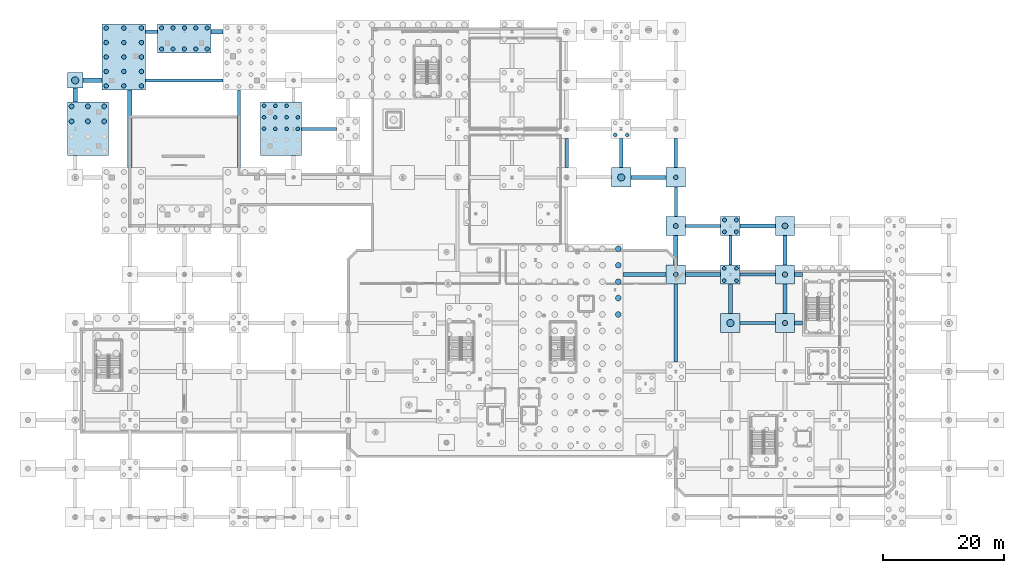
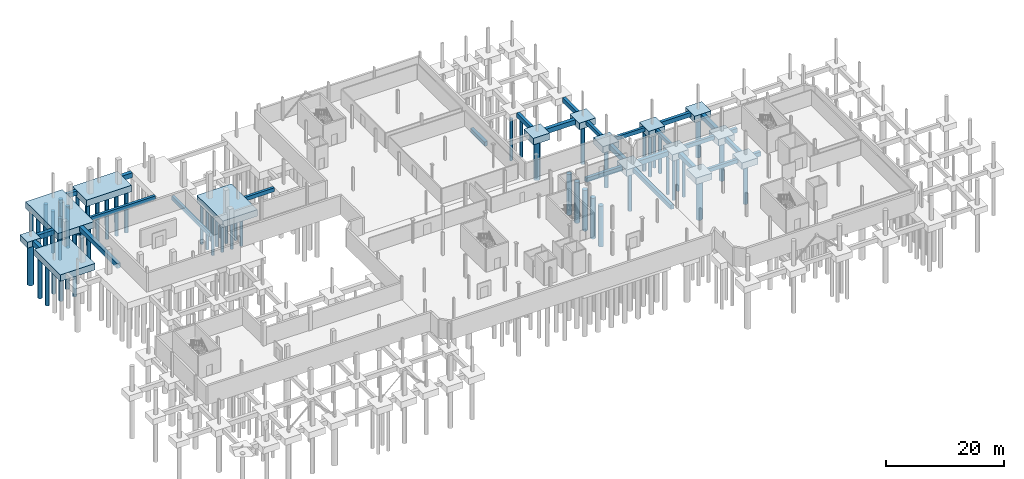
# One storey, part 6 of 37: 66 piles, 42 footings.
"""IFC4 building model written with IfcOpenShell, lengths in metres."""

from ifc_helpers import new_model, si_unit, direction, frame, origin, origin_2d, place, context, subcontext, project, spatial, polyline, rectangle, circle, outline, extrude, material, material_profile, profile_set, type_object, element, save


model = new_model("IFC4")

# Units and contexts
model_context = context("Model", 3, precision=1e-05, world=origin(), true_north=direction((0.0, 1.0)))
body_context = subcontext(model_context, "Body", "Model", "MODEL_VIEW")
ifc_project = project(units=[si_unit("LENGTHUNIT", "METRE"), si_unit("AREAUNIT", "SQUARE_METRE"), si_unit("VOLUMEUNIT", "CUBIC_METRE"), si_unit("PLANEANGLEUNIT", "RADIAN"), si_unit("MASSUNIT", "GRAM", prefix="KILO"), si_unit("THERMODYNAMICTEMPERATUREUNIT", "KELVIN"), si_unit("POWERUNIT", "WATT")], contexts=[model_context])

# Site, building, storey
site_placement = place(None, origin())
site = spatial("IfcSite", under=ifc_project, at=site_placement, CompositionType="ELEMENT")
building_placement = place(site_placement, origin())
building = spatial("IfcBuilding", under=site, at=building_placement, Name="Zelmaris Science Centre", CompositionType="ELEMENT")
storey_placement = place(building_placement, frame((0.0, 0.0, -4.800048828125)))
storey = spatial("IfcBuildingStorey", under=building, at=storey_placement, Name="B1", CompositionType="ELEMENT", Elevation=-4.800048828125)

# Footings
ifc_material = material(Name="Concrete C40/50", Category="concrete")
ifc_material_profile_1 = material_profile(ifc_material, rectangle(XDim=0.5, YDim=0.800048828125, at=origin_2d()), Name="FB-500X800")
ifc_profile_set_1 = profile_set([ifc_material_profile_1], Name="Concrete C40/50")
footing_type_1 = type_object("IfcFootingType", Name="Foundation Tie Beam FB-01 500x800", PredefinedType="FOOTING_BEAM", material=ifc_profile_set_1)
footing_1_placement = place(storey_placement, frame((36.0, 65.60009765625, -0.75), z_axis=(0.0, 1.0, 0.0), x_axis=(-1.0, 0.0, 0.0)))
element("IfcFooting", 1, at=footing_1_placement, inside=storey, type_object=footing_type_1, Name="Foundation tie beam 25", PredefinedType="FOOTING_BEAM", context=body_context, shape_type="SweptSolid", body=[
    extrude(rectangle(XDim=0.5, YDim=0.800048828125, at=origin_2d()), origin(), (0.0, 0.0, 1.0), 12.7998046875),
])
for number, where, z_axis, x_axis, name in (
    (2, (108.0, 57.60009765625, -0.75), (0.0, 1.0, 0.0), (-1.0, 0.0, 0.0), "Foundation tie beam 58"),
    (3, (117.0, 49.60009765625, -0.75), (0.0, 1.0, 0.0), (-1.0, 0.0, 0.0), "Foundation tie beam 67"),
):
    element("IfcFooting", number, at=place(storey_placement, frame(where, z_axis=z_axis, x_axis=x_axis)), inside=storey, type_object=footing_type_1, Name=name, PredefinedType="FOOTING_BEAM", context=body_context, shape_type="SweptSolid", body=[
        extrude(rectangle(XDim=0.5, YDim=0.800048828125, at=origin_2d()), origin(), (0.0, 0.0, 1.0), 4.7998046875),
    ])
for number, where, z_axis, x_axis, name in (
    (4, (118.60009765625, 40.0, -0.75), (1.0, 0.0, 0.0), (0.0, 1.0, 0.0), "Foundation tie beam 151"),
    (5, (118.60009765625, 48.0, -0.75), (1.0, 0.0, 0.0), (0.0, 1.0, 0.0), "Foundation tie beam 160"),
    (6, (109.60009765625, 56.0, -0.75), (1.0, 0.0, 0.0), (0.0, 1.0, 0.0), "Foundation tie beam 166"),
):
    element("IfcFooting", number, at=place(storey_placement, frame(where, z_axis=z_axis, x_axis=x_axis)), inside=storey, type_object=footing_type_1, Name=name, PredefinedType="FOOTING_BEAM", context=body_context, shape_type="SweptSolid", body=[
        extrude(rectangle(XDim=0.5, YDim=0.800048828125, at=origin_2d()), origin(), (0.0, 0.0, 1.0), 5.7998046875),
    ])
footing_2_placement = place(storey_placement, frame((46.300048828125, 72.0, -0.75), z_axis=(1.0, 0.0, 0.0), x_axis=(0.0, 1.0, 0.0)))
element("IfcFooting", 7, at=footing_2_placement, inside=storey, type_object=footing_type_1, Name="Foundation tie beam 181", PredefinedType="FOOTING_BEAM", context=body_context, shape_type="SweptSolid", body=[
    extrude(rectangle(XDim=0.5, YDim=0.800048828125, at=origin_2d()), origin(), (0.0, 0.0, 1.0), 5.75),
])
footing_3_placement = place(storey_placement, frame((20.60009765625, 80.0, -0.75), z_axis=(1.0, 0.0, 0.0), x_axis=(0.0, 1.0, 0.0)))
element("IfcFooting", 8, at=footing_3_placement, inside=storey, type_object=footing_type_1, Name="Foundation tie beam 187", PredefinedType="FOOTING_BEAM", context=body_context, shape_type="SweptSolid", body=[
    extrude(rectangle(XDim=0.5, YDim=0.800048828125, at=origin_2d()), origin(), (0.0, 0.0, 1.0), 12.7998046875),
])
ifc_material_profile_2 = material_profile(ifc_material, rectangle(XDim=0.60009765625, YDim=0.89990234375, at=origin_2d()), Name="FB-600X900")
ifc_profile_set_2 = profile_set([ifc_material_profile_2], Name="Concrete C40/50")
footing_type_2 = type_object("IfcFootingType", Name="Foundation Tie Beam FB-02 600x900", PredefinedType="FOOTING_BEAM", material=ifc_profile_set_2)
for number, where, z_axis, x_axis, name in (
    (9, (90.0, 65.60009765625, -0.800048828125), (0.0, 1.0, 0.0), (-1.0, 0.0, 0.0), "Foundation tie beam 47"),
    (10, (99.0, 65.60009765625, -0.800048828125), (0.0, 1.0, 0.0), (-1.0, 0.0, 0.0), "Foundation tie beam 50"),
):
    element("IfcFooting", number, at=place(storey_placement, frame(where, z_axis=z_axis, x_axis=x_axis)), inside=storey, type_object=footing_type_2, Name=name, PredefinedType="FOOTING_BEAM", context=body_context, shape_type="SweptSolid", body=[
        extrude(rectangle(XDim=0.60009765625, YDim=0.89990234375, at=origin_2d()), origin(), (0.0, 0.0, 1.0), 4.7998046875),
    ])
footing_4_placement = place(storey_placement, frame((108.0, 33.60009765625, -0.800048828125), z_axis=(0.0, 1.0, 0.0), x_axis=(-1.0, 0.0, 0.0)))
element("IfcFooting", 11, at=footing_4_placement, inside=storey, type_object=footing_type_2, Name="Foundation tie beam 56", PredefinedType="FOOTING_BEAM", context=body_context, shape_type="SweptSolid", body=[
    extrude(rectangle(XDim=0.60009765625, YDim=0.89990234375, at=origin_2d()), origin(), (0.0, 0.0, 1.0), 12.7998046875),
])
for number, where, z_axis, x_axis, name in (
    (12, (108.0, 65.60009765625, -0.800048828125), (0.0, 1.0, 0.0), (-1.0, 0.0, 0.0), "Foundation tie beam 59"),
    (13, (126.0, 41.60009765625, -0.800048828125), (0.0, 1.0, 0.0), (-1.0, 0.0, 0.0), "Foundation tie beam 71"),
):
    element("IfcFooting", number, at=place(storey_placement, frame(where, z_axis=z_axis, x_axis=x_axis)), inside=storey, type_object=footing_type_2, Name=name, PredefinedType="FOOTING_BEAM", context=body_context, shape_type="SweptSolid", body=[
        extrude(rectangle(XDim=0.60009765625, YDim=0.89990234375, at=origin_2d()), origin(), (0.0, 0.0, 1.0), 4.7998046875),
    ])
footing_5_placement = place(storey_placement, frame((127.60009765625, 40.0, -0.800048828125), z_axis=(1.0, 0.0, 0.0), x_axis=(0.0, 1.0, 0.0)))
element("IfcFooting", 14, at=footing_5_placement, inside=storey, type_object=footing_type_2, Name="Foundation tie beam 152", PredefinedType="FOOTING_BEAM", context=body_context, shape_type="SweptSolid", body=[
    extrude(rectangle(XDim=0.60009765625, YDim=0.89990234375, at=origin_2d()), origin(), (0.0, 0.0, 1.0), 1.2998046875),
])
footing_6_placement = place(storey_placement, frame((99.300048828125, 48.0, -0.800048828125), z_axis=(1.0, 0.0, 0.0), x_axis=(0.0, 1.0, 0.0)))
element("IfcFooting", 15, at=footing_6_placement, inside=storey, type_object=footing_type_2, Name="Foundation tie beam 158", PredefinedType="FOOTING_BEAM", context=body_context, shape_type="SweptSolid", body=[
    extrude(rectangle(XDim=0.60009765625, YDim=0.89990234375, at=origin_2d()), origin(), (0.0, 0.0, 1.0), 7.099853515625),
])
footing_7_placement = place(storey_placement, frame((127.60009765625, 48.0, -0.800048828125), z_axis=(1.0, 0.0, 0.0), x_axis=(0.0, 1.0, 0.0)))
element("IfcFooting", 16, at=footing_7_placement, inside=storey, type_object=footing_type_2, Name="Foundation tie beam 161", PredefinedType="FOOTING_BEAM", context=body_context, shape_type="SweptSolid", body=[
    extrude(rectangle(XDim=0.60009765625, YDim=0.89990234375, at=origin_2d()), origin(), (0.0, 0.0, 1.0), 1.2998046875),
])
footing_8_placement = place(storey_placement, frame((118.60009765625, 56.0, -0.800048828125), z_axis=(1.0, 0.0, 0.0), x_axis=(0.0, 1.0, 0.0)))
element("IfcFooting", 17, at=footing_8_placement, inside=storey, type_object=footing_type_2, Name="Foundation tie beam 167", PredefinedType="FOOTING_BEAM", context=body_context, shape_type="SweptSolid", body=[
    extrude(rectangle(XDim=0.60009765625, YDim=0.89990234375, at=origin_2d()), origin(), (0.0, 0.0, 1.0), 5.7998046875),
])
footing_9_placement = place(storey_placement, frame((20.60009765625, 88.0, -0.800048828125), z_axis=(1.0, 0.0, 0.0), x_axis=(0.0, 1.0, 0.0)))
element("IfcFooting", 18, at=footing_9_placement, inside=storey, type_object=footing_type_2, Name="Foundation tie beam 194", PredefinedType="FOOTING_BEAM", context=body_context, shape_type="SweptSolid", body=[
    extrude(rectangle(XDim=0.60009765625, YDim=0.89990234375, at=origin_2d()), origin(), (0.0, 0.0, 1.0), 1.990966796875),
])
ifc_material_profile_3 = material_profile(ifc_material, rectangle(XDim=0.699951171875, YDim=1.0, at=origin_2d()), Name="FB-700X1000")
ifc_profile_set_3 = profile_set([ifc_material_profile_3], Name="Concrete C40/50")
footing_type_3 = type_object("IfcFootingType", Name="Foundation Tie Beam FB-03 700x1000", PredefinedType="FOOTING_BEAM", material=ifc_profile_set_3)
footing_10_placement = place(storey_placement, frame((9.0, 76.408935546875, -0.849853515625), z_axis=(0.0, 1.0, 0.0), x_axis=(-1.0, 0.0, 0.0)))
element("IfcFooting", 19, at=footing_10_placement, inside=storey, type_object=footing_type_3, Name="Foundation tie beam 6", PredefinedType="FOOTING_BEAM", context=body_context, shape_type="SweptSolid", body=[
    extrude(rectangle(XDim=0.699951171875, YDim=1.0, at=origin_2d()), origin(), (0.0, 0.0, 1.0), 2.291015625),
])
footing_11_placement = place(storey_placement, frame((18.0, 65.60009765625, -0.849853515625), z_axis=(0.0, 1.0, 0.0), x_axis=(-1.0, 0.0, 0.0)))
element("IfcFooting", 20, at=footing_11_placement, inside=storey, type_object=footing_type_3, Name="Foundation tie beam 12", PredefinedType="FOOTING_BEAM", context=body_context, shape_type="SweptSolid", body=[
    extrude(rectangle(XDim=0.699951171875, YDim=1.0, at=origin_2d()), origin(), (0.0, 0.0, 1.0), 12.7998046875),
])
for number, where, z_axis, x_axis, name in (
    (21, (108.0, 49.60009765625, -0.849853515625), (0.0, 1.0, 0.0), (-1.0, 0.0, 0.0), "Foundation tie beam 57"),
    (22, (117.0, 41.60009765625, -0.849853515625), (0.0, 1.0, 0.0), (-1.0, 0.0, 0.0), "Foundation tie beam 66"),
    (23, (126.0, 49.60009765625, -0.849853515625), (0.0, 1.0, 0.0), (-1.0, 0.0, 0.0), "Foundation tie beam 72"),
):
    element("IfcFooting", number, at=place(storey_placement, frame(where, z_axis=z_axis, x_axis=x_axis)), inside=storey, type_object=footing_type_3, Name=name, PredefinedType="FOOTING_BEAM", context=body_context, shape_type="SweptSolid", body=[
        extrude(rectangle(XDim=0.699951171875, YDim=1.0, at=origin_2d()), origin(), (0.0, 0.0, 1.0), 4.7998046875),
    ])
for number, where, z_axis, x_axis, name in (
    (24, (109.60009765625, 48.0, -0.849853515625), (1.0, 0.0, 0.0), (0.0, 1.0, 0.0), "Foundation tie beam 159"),
    (25, (100.60009765625, 64.0, -0.849853515625), (1.0, 0.0, 0.0), (0.0, 1.0, 0.0), "Foundation tie beam 180"),
):
    element("IfcFooting", number, at=place(storey_placement, frame(where, z_axis=z_axis, x_axis=x_axis)), inside=storey, type_object=footing_type_3, Name=name, PredefinedType="FOOTING_BEAM", context=body_context, shape_type="SweptSolid", body=[
        extrude(rectangle(XDim=0.699951171875, YDim=1.0, at=origin_2d()), origin(), (0.0, 0.0, 1.0), 5.7998046875),
    ])
footing_12_placement = place(storey_placement, frame((10.300048828125, 80.0, -0.849853515625), z_axis=(1.0, 0.0, 0.0), x_axis=(0.0, 1.0, 0.0)))
element("IfcFooting", 26, at=footing_12_placement, inside=storey, type_object=footing_type_3, Name="Foundation tie beam 186", PredefinedType="FOOTING_BEAM", context=body_context, shape_type="SweptSolid", body=[
    extrude(rectangle(XDim=0.699951171875, YDim=1.0, at=origin_2d()), origin(), (0.0, 0.0, 1.0), 3.126953125),
])
footing_13_placement = place(storey_placement, frame((31.408935546875, 88.0, -0.849853515625), z_axis=(1.0, 0.0, 0.0), x_axis=(0.0, 1.0, 0.0)))
element("IfcFooting", 27, at=footing_13_placement, inside=storey, type_object=footing_type_3, Name="Foundation tie beam 195", PredefinedType="FOOTING_BEAM", context=body_context, shape_type="SweptSolid", body=[
    extrude(rectangle(XDim=0.699951171875, YDim=1.0, at=origin_2d()), origin(), (0.0, 0.0, 1.0), 1.990966796875),
])
footing_type_4 = type_object("IfcFootingType", Name="Pile Cap PCM-2626 2600x2600x1200", PredefinedType="PILE_CAP", material=ifc_material)
footing_14_placement = place(storey_placement, frame((0.0, 0.0, -1.550048828125)))
element("IfcFooting", 28, at=footing_14_placement, inside=storey, type_object=footing_type_4, Name="Pile cap 10", PredefinedType="PILE_CAP", context=body_context, shape_type="SweptSolid", body=[
    extrude(outline(polyline([(7.699951171875, 78.699951171875), (10.300048828125, 78.699951171875), (10.300048828125, 81.300048828125), (7.699951171875, 81.300048828125), (7.699951171875, 78.699951171875)])), origin(), (0.0, 0.0, 1.0), 1.2001953125),
])
footing_type_5 = type_object("IfcFootingType", Name="Pile Cap PCM-3232 3200x3200x1350", PredefinedType="PILE_CAP", material=ifc_material)
footing_15_placement = place(storey_placement, frame((0.0, 0.0, -1.699951171875)))
element("IfcFooting", 29, at=footing_15_placement, inside=storey, type_object=footing_type_5, Name="Pile cap 64", PredefinedType="PILE_CAP", context=body_context, shape_type="SweptSolid", body=[
    extrude(outline(polyline([(106.39990234375, 46.39990234375), (109.60009765625, 46.39990234375), (109.60009765625, 49.60009765625), (106.39990234375, 49.60009765625), (106.39990234375, 46.39990234375)])), origin(), (0.0, 0.0, 1.0), 1.35009765625),
])
footing_16_placement = place(storey_placement, frame((0.0, 0.0, -1.699951171875)))
element("IfcFooting", 30, at=footing_16_placement, inside=storey, type_object=footing_type_5, Name="Pile cap 65", PredefinedType="PILE_CAP", context=body_context, shape_type="SweptSolid", body=[
    extrude(outline(polyline([(106.39990234375, 54.39990234375), (109.60009765625, 54.39990234375), (109.60009765625, 57.60009765625), (106.39990234375, 57.60009765625), (106.39990234375, 54.39990234375)])), origin(), (0.0, 0.0, 1.0), 1.35009765625),
])
footing_17_placement = place(storey_placement, frame((0.0, 0.0, -1.699951171875)))
element("IfcFooting", 31, at=footing_17_placement, inside=storey, type_object=footing_type_5, Name="Pile cap 70", PredefinedType="PILE_CAP", context=body_context, shape_type="SweptSolid", body=[
    extrude(outline(polyline([(115.39990234375, 38.39990234375), (118.60009765625, 38.39990234375), (118.60009765625, 41.60009765625), (115.39990234375, 41.60009765625), (115.39990234375, 38.39990234375)])), origin(), (0.0, 0.0, 1.0), 1.35009765625),
])
footing_18_placement = place(storey_placement, frame((0.0, 0.0, -1.699951171875)))
element("IfcFooting", 32, at=footing_18_placement, inside=storey, type_object=footing_type_5, Name="Pile cap 71", PredefinedType="PILE_CAP", context=body_context, shape_type="SweptSolid", body=[
    extrude(outline(polyline([(115.39990234375, 46.39990234375), (118.60009765625, 46.39990234375), (118.60009765625, 49.60009765625), (115.39990234375, 49.60009765625), (115.39990234375, 46.39990234375)])), origin(), (0.0, 0.0, 1.0), 1.35009765625),
])
footing_19_placement = place(storey_placement, frame((0.0, 0.0, -1.699951171875)))
element("IfcFooting", 33, at=footing_19_placement, inside=storey, type_object=footing_type_5, Name="Pile cap 72", PredefinedType="PILE_CAP", context=body_context, shape_type="SweptSolid", body=[
    extrude(outline(polyline([(115.39990234375, 54.39990234375), (118.60009765625, 54.39990234375), (118.60009765625, 57.60009765625), (115.39990234375, 57.60009765625), (115.39990234375, 54.39990234375)])), origin(), (0.0, 0.0, 1.0), 1.35009765625),
])
footing_20_placement = place(storey_placement, frame((0.0, 0.0, -1.699951171875)))
element("IfcFooting", 34, at=footing_20_placement, inside=storey, type_object=footing_type_5, Name="Pile cap 76", PredefinedType="PILE_CAP", context=body_context, shape_type="SweptSolid", body=[
    extrude(outline(polyline([(124.39990234375, 38.39990234375), (127.60009765625, 38.39990234375), (127.60009765625, 41.60009765625), (124.39990234375, 41.60009765625), (124.39990234375, 38.39990234375)])), origin(), (0.0, 0.0, 1.0), 1.35009765625),
])
footing_21_placement = place(storey_placement, frame((0.0, 0.0, -1.699951171875)))
element("IfcFooting", 35, at=footing_21_placement, inside=storey, type_object=footing_type_5, Name="Pile cap 77", PredefinedType="PILE_CAP", context=body_context, shape_type="SweptSolid", body=[
    extrude(outline(polyline([(124.39990234375, 46.39990234375), (127.60009765625, 46.39990234375), (127.60009765625, 49.60009765625), (124.39990234375, 49.60009765625), (124.39990234375, 46.39990234375)])), origin(), (0.0, 0.0, 1.0), 1.35009765625),
])
footing_22_placement = place(storey_placement, frame((0.0, 0.0, -1.699951171875)))
element("IfcFooting", 36, at=footing_22_placement, inside=storey, type_object=footing_type_5, Name="Pile cap 78", PredefinedType="PILE_CAP", context=body_context, shape_type="SweptSolid", body=[
    extrude(outline(polyline([(124.39990234375, 54.39990234375), (127.60009765625, 54.39990234375), (127.60009765625, 57.60009765625), (124.39990234375, 57.60009765625), (124.39990234375, 54.39990234375)])), origin(), (0.0, 0.0, 1.0), 1.35009765625),
])
footing_23_placement = place(storey_placement, frame((0.0, 0.0, -1.699951171875)))
element("IfcFooting", 37, at=footing_23_placement, inside=storey, type_object=footing_type_5, Name="Pile cap 110", PredefinedType="PILE_CAP", context=body_context, shape_type="SweptSolid", body=[
    extrude(outline(polyline([(97.39990234375, 62.39990234375), (100.60009765625, 62.39990234375), (100.60009765625, 65.60009765625), (97.39990234375, 65.60009765625), (97.39990234375, 62.39990234375)])), origin(), (0.0, 0.0, 1.0), 1.35009765625),
])
footing_24_placement = place(storey_placement, frame((0.0, 0.0, -1.699951171875)))
element("IfcFooting", 38, at=footing_24_placement, inside=storey, type_object=footing_type_5, Name="Pile cap 114", PredefinedType="PILE_CAP", context=body_context, shape_type="SweptSolid", body=[
    extrude(outline(polyline([(106.39990234375, 62.39990234375), (109.60009765625, 62.39990234375), (109.60009765625, 65.60009765625), (106.39990234375, 65.60009765625), (106.39990234375, 62.39990234375)])), origin(), (0.0, 0.0, 1.0), 1.35009765625),
])
footing_type_6 = type_object("IfcFootingType", Name="Pile Cap PCM-6888 6800x8800x1350", PredefinedType="PILE_CAP", material=ifc_material)
footing_25_placement = place(storey_placement, frame((0.0, 0.0, -1.699951171875)))
element("IfcFooting", 39, at=footing_25_placement, inside=storey, type_object=footing_type_6, Name="Pile cap 1", PredefinedType="PILE_CAP", context=body_context, shape_type="SweptSolid", body=[
    extrude(outline(polyline([(39.52294921875, 67.591064453125), (46.300048828125, 67.591064453125), (46.300048828125, 76.408935546875), (39.52294921875, 76.408935546875), (39.52294921875, 67.591064453125)])), origin(), (0.0, 0.0, 1.0), 1.35009765625),
])
footing_26_placement = place(storey_placement, frame((0.0, 0.0, -1.699951171875)))
element("IfcFooting", 40, at=footing_26_placement, inside=storey, type_object=footing_type_6, Name="Pile cap 5", PredefinedType="PILE_CAP", context=body_context, shape_type="SweptSolid", body=[
    extrude(outline(polyline([(7.699951171875, 67.591064453125), (14.47705078125, 67.591064453125), (14.47705078125, 76.408935546875), (7.699951171875, 76.408935546875), (7.699951171875, 67.591064453125)])), origin(), (0.0, 0.0, 1.0), 1.35009765625),
])
footing_type_7 = type_object("IfcFootingType", Name="Pile Cap PCM-72109 7200x10900x1350", PredefinedType="PILE_CAP", material=ifc_material)
footing_27_placement = place(storey_placement, frame((0.0, 0.0, -1.699951171875)))
element("IfcFooting", 41, at=footing_27_placement, inside=storey, type_object=footing_type_7, Name="Pile cap 4", PredefinedType="PILE_CAP", context=body_context, shape_type="SweptSolid", body=[
    extrude(outline(polyline([(13.427001953125, 78.39990234375), (20.60009765625, 78.39990234375), (20.60009765625, 89.300048828125), (13.427001953125, 89.300048828125), (13.427001953125, 78.39990234375)])), origin(), (0.0, 0.0, 1.0), 1.35009765625),
])
footing_type_8 = type_object("IfcFootingType", Name="Pile Cap PCM-8848 8800x4800x1350", PredefinedType="PILE_CAP", material=ifc_material)
footing_28_placement = place(storey_placement, frame((0.0, 0.0, -1.699951171875)))
element("IfcFooting", 42, at=footing_28_placement, inside=storey, type_object=footing_type_8, Name="Pile cap 3", PredefinedType="PILE_CAP", context=body_context, shape_type="SweptSolid", body=[
    extrude(outline(polyline([(22.591064453125, 84.52294921875), (31.408935546875, 84.52294921875), (31.408935546875, 89.300048828125), (22.591064453125, 89.300048828125), (22.591064453125, 84.52294921875)])), origin(), (0.0, 0.0, 1.0), 1.35009765625),
])

# Piles
ifc_material_profile_4 = material_profile(ifc_material, circle(Radius=0.60009765625, at=origin_2d()), Name="PILE-1200")
ifc_profile_set_4 = profile_set([ifc_material_profile_4], Name="Concrete C40/50")
pile_type_1 = type_object("IfcPileType", Name="Pile PL-1200 D1200", PredefinedType="BORED", material=ifc_profile_set_4)
pile_1_placement = place(storey_placement, frame((9.0, 80.0, -1.429931640625), z_axis=(0.0, 0.0, -1.0), x_axis=(1.0, 0.0, 0.0)))
element("IfcPile", 43, at=pile_1_placement, inside=storey, type_object=pile_type_1, Name="Bored pile 10-1", PredefinedType="BORED", context=body_context, shape_type="SweptSolid", body=[
    extrude(circle(Radius=0.60009765625, at=origin_2d()), origin(), (0.0, 0.0, 1.0), 8.77001953125),
])
for number, where, z_axis, x_axis, name in (
    (44, (117.0, 40.0, -1.579833984375), (0.0, 0.0, -1.0), (1.0, 0.0, 0.0), "Bored pile 70-1"),
    (45, (99.0, 64.0, -1.579833984375), (0.0, 0.0, -1.0), (1.0, 0.0, 0.0), "Bored pile 110-1"),
):
    element("IfcPile", number, at=place(storey_placement, frame(where, z_axis=z_axis, x_axis=x_axis)), inside=storey, type_object=pile_type_1, Name=name, PredefinedType="BORED", context=body_context, shape_type="SweptSolid", body=[
        extrude(circle(Radius=0.60009765625, at=origin_2d()), origin(), (0.0, 0.0, 1.0), 8.6201171875),
    ])
ifc_material_profile_5 = material_profile(ifc_material, circle(Radius=0.300048828125, at=origin_2d()), Name="PILE-600")
ifc_profile_set_5 = profile_set([ifc_material_profile_5], Name="Concrete C40/50")
pile_type_2 = type_object("IfcPileType", Name="Pile PL-600 D600", PredefinedType="BORED", material=ifc_profile_set_5)
for number, where, z_axis, x_axis, name in (
    (46, (40.123046875, 72.0, -1.579833984375), (0.0, 0.0, -1.0), (1.0, 0.0, 0.0), "Bored pile 1-3"),
    (47, (40.123046875, 73.904541015625, -1.579833984375), (0.0, 0.0, -1.0), (1.0, 0.0, 0.0), "Bored pile 1-4"),
    (48, (40.123046875, 75.80908203125, -1.579833984375), (0.0, 0.0, -1.0), (1.0, 0.0, 0.0), "Bored pile 1-5"),
    (49, (41.98193359375, 72.0, -1.579833984375), (0.0, 0.0, -1.0), (1.0, 0.0, 0.0), "Bored pile 1-8"),
    (50, (41.98193359375, 73.904541015625, -1.579833984375), (0.0, 0.0, -1.0), (1.0, 0.0, 0.0), "Bored pile 1-9"),
    (51, (41.98193359375, 75.80908203125, -1.579833984375), (0.0, 0.0, -1.0), (1.0, 0.0, 0.0), "Bored pile 1-10"),
    (52, (43.841064453125, 72.0, -1.579833984375), (0.0, 0.0, -1.0), (1.0, 0.0, 0.0), "Bored pile 1-13"),
    (53, (43.841064453125, 73.904541015625, -1.579833984375), (0.0, 0.0, -1.0), (1.0, 0.0, 0.0), "Bored pile 1-14"),
    (54, (43.841064453125, 75.80908203125, -1.579833984375), (0.0, 0.0, -1.0), (1.0, 0.0, 0.0), "Bored pile 1-15"),
    (55, (45.699951171875, 72.0, -1.579833984375), (0.0, 0.0, -1.0), (1.0, 0.0, 0.0), "Bored pile 1-18"),
    (56, (45.699951171875, 73.904541015625, -1.579833984375), (0.0, 0.0, -1.0), (1.0, 0.0, 0.0), "Bored pile 1-19"),
    (57, (116.0, 47.0, -1.579833984375), (0.0, 0.0, -1.0), (1.0, 0.0, 0.0), "Bored pile 71-1"),
    (58, (116.0, 49.0, -1.579833984375), (0.0, 0.0, -1.0), (1.0, 0.0, 0.0), "Bored pile 71-2"),
    (59, (118.0, 47.0, -1.579833984375), (0.0, 0.0, -1.0), (1.0, 0.0, 0.0), "Bored pile 71-3"),
    (60, (118.0, 49.0, -1.579833984375), (0.0, 0.0, -1.0), (1.0, 0.0, 0.0), "Bored pile 71-4"),
    (61, (98.0, 71.0, -1.579833984375), (0.0, 0.0, -1.0), (1.0, 0.0, 0.0), "Bored pile 111-1"),
    (62, (100.0, 71.0, -1.579833984375), (0.0, 0.0, -1.0), (1.0, 0.0, 0.0), "Bored pile 111-3"),
):
    element("IfcPile", number, at=place(storey_placement, frame(where, z_axis=z_axis, x_axis=x_axis)), inside=storey, type_object=pile_type_2, Name=name, PredefinedType="BORED", context=body_context, shape_type="SweptSolid", body=[
        extrude(circle(Radius=0.300048828125, at=origin_2d()), origin(), (0.0, 0.0, 1.0), 8.6201171875),
    ])
ifc_material_profile_6 = material_profile(ifc_material, circle(Radius=0.324951171875, at=origin_2d()), Name="PILE-650")
ifc_profile_set_6 = profile_set([ifc_material_profile_6], Name="Concrete C40/50")
pile_type_3 = type_object("IfcPileType", Name="Pile PL-650 D650", PredefinedType="BORED", material=ifc_profile_set_6)
for number, where, z_axis, x_axis, name in (
    (63, (116.02490234375, 55.02490234375, -1.579833984375), (0.0, 0.0, -1.0), (1.0, 0.0, 0.0), "Bored pile 72-1"),
    (64, (116.02490234375, 56.97509765625, -1.579833984375), (0.0, 0.0, -1.0), (1.0, 0.0, 0.0), "Bored pile 72-2"),
    (65, (117.97509765625, 55.02490234375, -1.579833984375), (0.0, 0.0, -1.0), (1.0, 0.0, 0.0), "Bored pile 72-3"),
    (66, (117.97509765625, 56.97509765625, -1.579833984375), (0.0, 0.0, -1.0), (1.0, 0.0, 0.0), "Bored pile 72-4"),
):
    element("IfcPile", number, at=place(storey_placement, frame(where, z_axis=z_axis, x_axis=x_axis)), inside=storey, type_object=pile_type_3, Name=name, PredefinedType="BORED", context=body_context, shape_type="SweptSolid", body=[
        extrude(circle(Radius=0.324951171875, at=origin_2d()), origin(), (0.0, 0.0, 1.0), 8.6201171875),
    ])
ifc_material_profile_7 = material_profile(ifc_material, circle(Radius=0.35009765625, at=origin_2d()), Name="PILE-700")
ifc_profile_set_7 = profile_set([ifc_material_profile_7], Name="Concrete C40/50")
pile_type_4 = type_object("IfcPileType", Name="Pile PL-700 D700", PredefinedType="BORED", material=ifc_profile_set_7)
for number, where, z_axis, x_axis, name in (
    (67, (23.240966796875, 85.173095703125, -1.579833984375), (0.0, 0.0, -1.0), (1.0, 0.0, 0.0), "Bored pile 3-1"),
    (68, (23.240966796875, 88.64990234375, -1.579833984375), (0.0, 0.0, -1.0), (1.0, 0.0, 0.0), "Bored pile 3-2"),
    (69, (25.12060546875, 85.173095703125, -1.579833984375), (0.0, 0.0, -1.0), (1.0, 0.0, 0.0), "Bored pile 3-3"),
    (70, (25.12060546875, 88.64990234375, -1.579833984375), (0.0, 0.0, -1.0), (1.0, 0.0, 0.0), "Bored pile 3-4"),
    (71, (27.0, 85.173095703125, -1.579833984375), (0.0, 0.0, -1.0), (1.0, 0.0, 0.0), "Bored pile 3-5"),
    (72, (27.0, 88.64990234375, -1.579833984375), (0.0, 0.0, -1.0), (1.0, 0.0, 0.0), "Bored pile 3-6"),
    (73, (28.87939453125, 85.173095703125, -1.579833984375), (0.0, 0.0, -1.0), (1.0, 0.0, 0.0), "Bored pile 3-7"),
    (74, (28.87939453125, 88.64990234375, -1.579833984375), (0.0, 0.0, -1.0), (1.0, 0.0, 0.0), "Bored pile 3-8"),
    (75, (30.759033203125, 85.173095703125, -1.579833984375), (0.0, 0.0, -1.0), (1.0, 0.0, 0.0), "Bored pile 3-9"),
    (76, (30.759033203125, 88.64990234375, -1.579833984375), (0.0, 0.0, -1.0), (1.0, 0.0, 0.0), "Bored pile 3-10"),
):
    element("IfcPile", number, at=place(storey_placement, frame(where, z_axis=z_axis, x_axis=x_axis)), inside=storey, type_object=pile_type_4, Name=name, PredefinedType="BORED", context=body_context, shape_type="SweptSolid", body=[
        extrude(circle(Radius=0.35009765625, at=origin_2d()), origin(), (0.0, 0.0, 1.0), 8.6201171875),
    ])
ifc_material_profile_8 = material_profile(ifc_material, circle(Radius=0.375, at=origin_2d()), Name="PILE-750")
ifc_profile_set_8 = profile_set([ifc_material_profile_8], Name="Concrete C40/50")
pile_type_5 = type_object("IfcPileType", Name="Pile PL-750 D750", PredefinedType="BORED", material=ifc_profile_set_8)
for number, where, z_axis, x_axis, name in (
    (77, (14.10205078125, 79.074951171875, -1.579833984375), (0.0, 0.0, -1.0), (1.0, 0.0, 0.0), "Bored pile 4-1"),
    (78, (14.10205078125, 81.46240234375, -1.579833984375), (0.0, 0.0, -1.0), (1.0, 0.0, 0.0), "Bored pile 4-2"),
    (79, (14.10205078125, 83.85009765625, -1.579833984375), (0.0, 0.0, -1.0), (1.0, 0.0, 0.0), "Bored pile 4-3"),
    (80, (14.10205078125, 86.237548828125, -1.579833984375), (0.0, 0.0, -1.0), (1.0, 0.0, 0.0), "Bored pile 4-4"),
    (81, (14.10205078125, 88.625, -1.579833984375), (0.0, 0.0, -1.0), (1.0, 0.0, 0.0), "Bored pile 4-5"),
    (82, (17.013427734375, 79.074951171875, -1.579833984375), (0.0, 0.0, -1.0), (1.0, 0.0, 0.0), "Bored pile 4-6"),
    (83, (17.013427734375, 81.46240234375, -1.579833984375), (0.0, 0.0, -1.0), (1.0, 0.0, 0.0), "Bored pile 4-7"),
    (84, (17.013427734375, 83.85009765625, -1.579833984375), (0.0, 0.0, -1.0), (1.0, 0.0, 0.0), "Bored pile 4-8"),
    (85, (17.013427734375, 86.237548828125, -1.579833984375), (0.0, 0.0, -1.0), (1.0, 0.0, 0.0), "Bored pile 4-9"),
    (86, (17.013427734375, 88.625, -1.579833984375), (0.0, 0.0, -1.0), (1.0, 0.0, 0.0), "Bored pile 4-10"),
    (87, (19.925048828125, 79.074951171875, -1.579833984375), (0.0, 0.0, -1.0), (1.0, 0.0, 0.0), "Bored pile 4-11"),
    (88, (19.925048828125, 81.46240234375, -1.579833984375), (0.0, 0.0, -1.0), (1.0, 0.0, 0.0), "Bored pile 4-12"),
    (89, (19.925048828125, 83.85009765625, -1.579833984375), (0.0, 0.0, -1.0), (1.0, 0.0, 0.0), "Bored pile 4-13"),
    (90, (19.925048828125, 86.237548828125, -1.579833984375), (0.0, 0.0, -1.0), (1.0, 0.0, 0.0), "Bored pile 4-14"),
    (91, (19.925048828125, 88.625, -1.579833984375), (0.0, 0.0, -1.0), (1.0, 0.0, 0.0), "Bored pile 4-15"),
    (92, (108.0, 48.0, -1.579833984375), (0.0, 0.0, -1.0), (1.0, 0.0, 0.0), "Bored pile 64-1"),
    (93, (108.0, 64.0, -1.579833984375), (0.0, 0.0, -1.0), (1.0, 0.0, 0.0), "Bored pile 114-1"),
):
    element("IfcPile", number, at=place(storey_placement, frame(where, z_axis=z_axis, x_axis=x_axis)), inside=storey, type_object=pile_type_5, Name=name, PredefinedType="BORED", context=body_context, shape_type="SweptSolid", body=[
        extrude(circle(Radius=0.375, at=origin_2d()), origin(), (0.0, 0.0, 1.0), 8.6201171875),
    ])
ifc_material_profile_9 = material_profile(ifc_material, circle(Radius=0.39990234375, at=origin_2d()), Name="PILE-800")
ifc_profile_set_9 = profile_set([ifc_material_profile_9], Name="Concrete C40/50")
pile_type_6 = type_object("IfcPileType", Name="Pile PL-800 D800", PredefinedType="BORED", material=ifc_profile_set_9)
for number, where, z_axis, x_axis, name in (
    (94, (8.39990234375, 73.236328125, -1.579833984375), (0.0, 0.0, -1.0), (1.0, 0.0, 0.0), "Bored pile 5-3"),
    (95, (8.39990234375, 75.708984375, -1.579833984375), (0.0, 0.0, -1.0), (1.0, 0.0, 0.0), "Bored pile 5-4"),
    (96, (11.08837890625, 73.236328125, -1.579833984375), (0.0, 0.0, -1.0), (1.0, 0.0, 0.0), "Bored pile 5-7"),
    (97, (11.08837890625, 75.708984375, -1.579833984375), (0.0, 0.0, -1.0), (1.0, 0.0, 0.0), "Bored pile 5-8"),
    (98, (13.777099609375, 73.236328125, -1.579833984375), (0.0, 0.0, -1.0), (1.0, 0.0, 0.0), "Bored pile 5-11"),
    (99, (13.777099609375, 75.708984375, -1.579833984375), (0.0, 0.0, -1.0), (1.0, 0.0, 0.0), "Bored pile 5-12"),
    (100, (108.0, 56.0, -1.579833984375), (0.0, 0.0, -1.0), (1.0, 0.0, 0.0), "Bored pile 65-1"),
):
    element("IfcPile", number, at=place(storey_placement, frame(where, z_axis=z_axis, x_axis=x_axis)), inside=storey, type_object=pile_type_6, Name=name, PredefinedType="BORED", context=body_context, shape_type="SweptSolid", body=[
        extrude(circle(Radius=0.39990234375, at=origin_2d()), origin(), (0.0, 0.0, 1.0), 8.6201171875),
    ])
ifc_material_profile_10 = material_profile(ifc_material, circle(Radius=0.425048828125, at=origin_2d()), Name="PILE-850")
ifc_profile_set_10 = profile_set([ifc_material_profile_10], Name="Concrete C40/50")
pile_type_7 = type_object("IfcPileType", Name="Pile PL-850 D850", PredefinedType="BORED", material=ifc_profile_set_10)
pile_2_placement = place(storey_placement, frame((126.0, 40.0, -1.579833984375), z_axis=(0.0, 0.0, -1.0), x_axis=(1.0, 0.0, 0.0)))
element("IfcPile", 101, at=pile_2_placement, inside=storey, type_object=pile_type_7, Name="Bored pile 76-1", PredefinedType="BORED", context=body_context, shape_type="SweptSolid", body=[
    extrude(circle(Radius=0.425048828125, at=origin_2d()), origin(), (0.0, 0.0, 1.0), 8.6201171875),
])
ifc_material_profile_11 = material_profile(ifc_material, circle(Radius=0.449951171875, at=origin_2d()), Name="PILE-900")
ifc_profile_set_11 = profile_set([ifc_material_profile_11], Name="Concrete C40/50")
pile_type_8 = type_object("IfcPileType", Name="Pile PL-900 D900", PredefinedType="BORED", material=ifc_profile_set_11)
pile_3_placement = place(storey_placement, frame((126.0, 48.0, -1.579833984375), z_axis=(0.0, 0.0, -1.0), x_axis=(1.0, 0.0, 0.0)))
element("IfcPile", 102, at=pile_3_placement, inside=storey, type_object=pile_type_8, Name="Bored pile 77-1", PredefinedType="BORED", context=body_context, shape_type="SweptSolid", body=[
    extrude(circle(Radius=0.449951171875, at=origin_2d()), origin(), (0.0, 0.0, 1.0), 8.6201171875),
])
ifc_material_profile_12 = material_profile(ifc_material, circle(Radius=0.47509765625, at=origin_2d()), Name="PILE-950")
ifc_profile_set_12 = profile_set([ifc_material_profile_12], Name="Concrete C40/50")
pile_type_9 = type_object("IfcPileType", Name="Pile PL-950 D950", PredefinedType="BORED", material=ifc_profile_set_12)
for number, where, z_axis, x_axis, name in (
    (103, (98.52490234375, 41.408203125, -1.72998046875), (0.0, 0.0, -1.0), (1.0, 0.0, 0.0), "Bored pile 48-87"),
    (104, (98.52490234375, 44.112548828125, -1.72998046875), (0.0, 0.0, -1.0), (1.0, 0.0, 0.0), "Bored pile 48-88"),
    (105, (98.52490234375, 46.816650390625, -1.72998046875), (0.0, 0.0, -1.0), (1.0, 0.0, 0.0), "Bored pile 48-89"),
    (106, (98.52490234375, 49.520751953125, -1.72998046875), (0.0, 0.0, -1.0), (1.0, 0.0, 0.0), "Bored pile 48-90"),
    (107, (98.52490234375, 52.22509765625, -1.72998046875), (0.0, 0.0, -1.0), (1.0, 0.0, 0.0), "Bored pile 48-91"),
):
    element("IfcPile", number, at=place(storey_placement, frame(where, z_axis=z_axis, x_axis=x_axis)), inside=storey, type_object=pile_type_9, Name=name, PredefinedType="BORED", context=body_context, shape_type="SweptSolid", body=[
        extrude(circle(Radius=0.47509765625, at=origin_2d()), origin(), (0.0, 0.0, 1.0), 8.469970703125),
    ])
pile_4_placement = place(storey_placement, frame((126.0, 56.0, -1.579833984375), z_axis=(0.0, 0.0, -1.0), x_axis=(1.0, 0.0, 0.0)))
element("IfcPile", 108, at=pile_4_placement, inside=storey, type_object=pile_type_9, Name="Bored pile 78-1", PredefinedType="BORED", context=body_context, shape_type="SweptSolid", body=[
    extrude(circle(Radius=0.47509765625, at=origin_2d()), origin(), (0.0, 0.0, 1.0), 8.6201171875),
])

save(model, "model.ifc")
